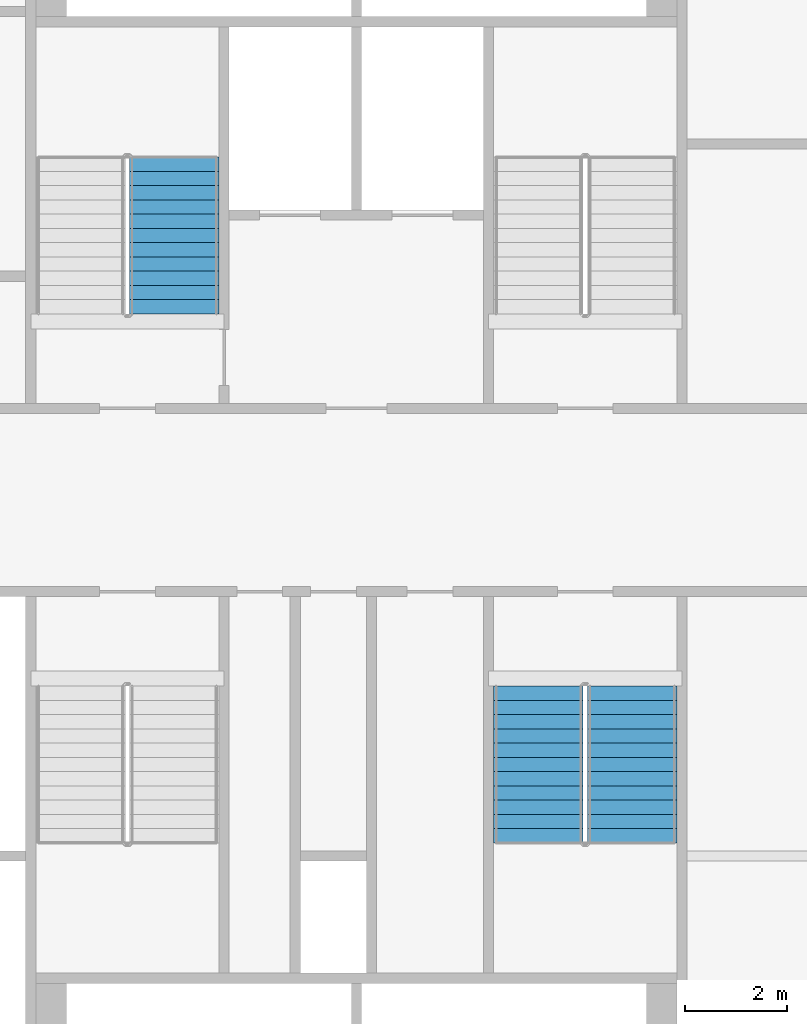
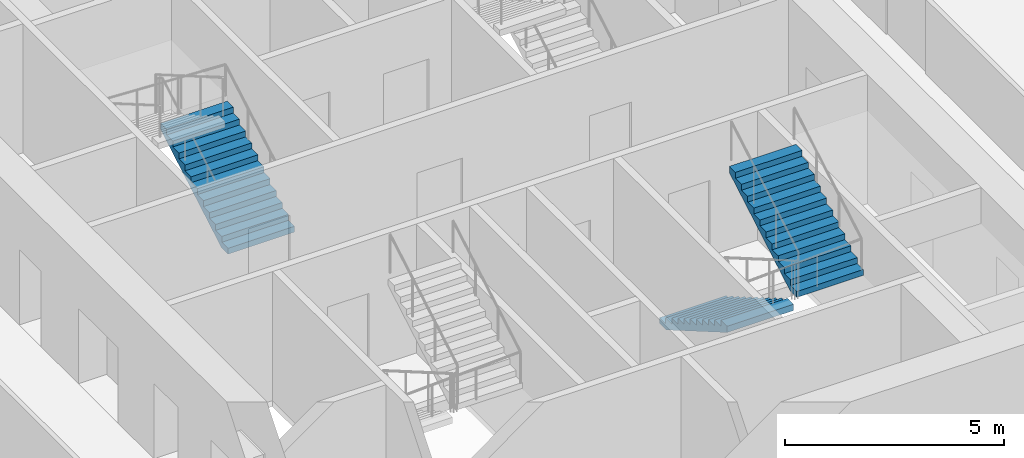
# One storey, part 9 of 13: 3 stair flights, 2 elements without a shape of their own.
"""IFC4 building model written with IfcOpenShell, lengths in metres."""

from ifc_helpers import new_model, si_unit, direction, frame, origin, place, context, subcontext, project, spatial, faceted_brep, material, type_object, element, aggregate, save


model = new_model("IFC4")

# Units and contexts
model_context = context("Model", 3, precision=1e-05, world=origin(), true_north=direction((0.0, 1.0)))
body_context = subcontext(model_context, "Body", "Model", "MODEL_VIEW")
ifc_project = project(units=[si_unit("LENGTHUNIT", "METRE"), si_unit("AREAUNIT", "SQUARE_METRE"), si_unit("VOLUMEUNIT", "CUBIC_METRE"), si_unit("PLANEANGLEUNIT", "RADIAN"), si_unit("MASSUNIT", "GRAM", prefix="KILO")], contexts=[model_context])

# Site, building, storey
site_placement = place(None, origin())
site = spatial("IfcSite", under=ifc_project, at=site_placement, CompositionType="ELEMENT")
building_placement = place(site_placement, origin())
building = spatial("IfcBuilding", under=site, at=building_placement, Name="Tarsis Ring Headquarters", CompositionType="ELEMENT")
storey_placement = place(building_placement, frame((0.0, 0.0, 135.699951171875)))
storey = spatial("IfcBuildingStorey", under=building, at=storey_placement, Name="L31", CompositionType="ELEMENT", Elevation=135.699951171875)

# Stair, stair flight
ifc_material_1 = material(Name="Core stair 1760")
stair_type = type_object("IfcStairType", Name="Core stair 1760", PredefinedType="HALF_TURN_STAIR", material=ifc_material_1)
stair_1_placement = place(storey_placement, origin())
stair_1 = element("IfcStair", 1, at=stair_1_placement, inside=storey, type_object=stair_type, Name="L31 Firefighting stair", PredefinedType="HALF_TURN_STAIR")
ifc_material_2 = material(Name="Concrete C40/50", Category="concrete")
stair_flight_type = type_object("IfcStairFlightType", Name="Core stair flight 1760", PredefinedType="STRAIGHT", material=ifc_material_2)
stair_flight_1_placement = place(storey_placement, frame((-3.580078125, 3.659912109375, 0.0), z_axis=(0.0, 0.0, 1.0), x_axis=(0.0, 1.0, 0.0)))
stair_flight_1 = element("IfcStairFlight", 2, at=stair_flight_1_placement, type_object=stair_flight_type, Name="Stair ST1 flight 1", NumberOfRisers=12, NumberOfTreads=11, PredefinedType="STRAIGHT", RiserHeight=0.1625, TreadLength=0.28, context=body_context, shape_type="Brep", body=[
    faceted_brep([(0.0, 0.8798828125, 0.0), (0.0, 0.8798828125, 0.16259765625), (0.280029296875, 0.8798828125, 0.16259765625), (0.280029296875, 0.8798828125, 0.324951171875), (0.56005859375, 0.8798828125, 0.324951171875), (0.56005859375, 0.8798828125, 0.487548828125), (0.840087890625, 0.8798828125, 0.487548828125), (0.840087890625, 0.8798828125, 0.64990234375), (1.1201171875, 0.8798828125, 0.64990234375), (1.1201171875, 0.8798828125, 0.8125), (1.39990234375, 0.8798828125, 0.8125), (1.39990234375, 0.8798828125, 0.97509765625), (1.679931640625, 0.8798828125, 0.97509765625), (1.679931640625, 0.8798828125, 1.137451171875), (1.9599609375, 0.8798828125, 1.137451171875), (1.9599609375, 0.8798828125, 1.300048828125), (2.239990234375, 0.8798828125, 1.300048828125), (2.239990234375, 0.8798828125, 1.46240234375), (2.52001953125, 0.8798828125, 1.46240234375), (2.52001953125, 0.8798828125, 1.625), (2.800048828125, 0.8798828125, 1.625), (2.800048828125, 0.8798828125, 1.78759765625), (3.080078125, 0.8798828125, 1.78759765625), (3.080078125, 0.8798828125, 1.6142578125), (0.298583984375, 0.8798828125, 0.0), (0.298583984375, -0.8798828125, 0.0), (3.080078125, -0.8798828125, 1.6142578125), (3.080078125, -0.8798828125, 1.78759765625), (2.800048828125, -0.8798828125, 1.78759765625), (2.800048828125, -0.8798828125, 1.625), (2.52001953125, -0.8798828125, 1.625), (2.52001953125, -0.8798828125, 1.46240234375), (2.239990234375, -0.8798828125, 1.46240234375), (2.239990234375, -0.8798828125, 1.300048828125), (1.9599609375, -0.8798828125, 1.300048828125), (1.9599609375, -0.8798828125, 1.137451171875), (1.679931640625, -0.8798828125, 1.137451171875), (1.679931640625, -0.8798828125, 0.97509765625), (1.39990234375, -0.8798828125, 0.97509765625), (1.39990234375, -0.8798828125, 0.8125), (1.1201171875, -0.8798828125, 0.8125), (1.1201171875, -0.8798828125, 0.64990234375), (0.840087890625, -0.8798828125, 0.64990234375), (0.840087890625, -0.8798828125, 0.487548828125), (0.56005859375, -0.8798828125, 0.487548828125), (0.56005859375, -0.8798828125, 0.324951171875), (0.280029296875, -0.8798828125, 0.324951171875), (0.280029296875, -0.8798828125, 0.16259765625), (0.0, -0.8798828125, 0.16259765625), (0.0, -0.8798828125, 0.0), (0.0, -0.43994140625, 0.16259765625), (0.0, -0.43994140625, 0.0), (0.0, 0.0, 0.16259765625), (0.0, 0.0, 0.0), (0.0, 0.43994140625, 0.16259765625), (0.0, 0.43994140625, 0.0), (0.280029296875, -0.43994140625, 0.16259765625), (0.280029296875, 0.0, 0.16259765625), (0.280029296875, 0.43994140625, 0.16259765625), (0.280029296875, -0.43994140625, 0.324951171875), (0.280029296875, 0.0, 0.324951171875), (0.280029296875, 0.43994140625, 0.324951171875), (0.56005859375, -0.43994140625, 0.324951171875), (0.56005859375, 0.0, 0.324951171875), (0.56005859375, 0.43994140625, 0.324951171875), (0.56005859375, -0.43994140625, 0.487548828125), (0.56005859375, 0.0, 0.487548828125), (0.56005859375, 0.43994140625, 0.487548828125), (0.840087890625, -0.43994140625, 0.487548828125), (0.840087890625, 0.0, 0.487548828125), (0.840087890625, 0.43994140625, 0.487548828125), (0.840087890625, -0.43994140625, 0.64990234375), (0.840087890625, 0.0, 0.64990234375), (0.840087890625, 0.43994140625, 0.64990234375), (1.1201171875, -0.43994140625, 0.64990234375), (1.1201171875, 0.0, 0.64990234375), (1.1201171875, 0.43994140625, 0.64990234375), (1.1201171875, -0.43994140625, 0.8125), (1.1201171875, 0.0, 0.8125), (1.1201171875, 0.43994140625, 0.8125), (1.39990234375, -0.43994140625, 0.8125), (1.39990234375, 0.0, 0.8125), (1.39990234375, 0.43994140625, 0.8125), (1.39990234375, -0.43994140625, 0.97509765625), (1.39990234375, 0.0, 0.97509765625), (1.39990234375, 0.43994140625, 0.97509765625), (1.679931640625, -0.43994140625, 0.97509765625), (1.679931640625, 0.0, 0.97509765625), (1.679931640625, 0.43994140625, 0.97509765625), (1.679931640625, -0.43994140625, 1.137451171875), (1.679931640625, 0.0, 1.137451171875), (1.679931640625, 0.43994140625, 1.137451171875), (1.9599609375, -0.43994140625, 1.137451171875), (1.9599609375, 0.0, 1.137451171875), (1.9599609375, 0.43994140625, 1.137451171875), (1.9599609375, -0.43994140625, 1.300048828125), (1.9599609375, 0.0, 1.300048828125), (1.9599609375, 0.43994140625, 1.300048828125), (2.239990234375, -0.43994140625, 1.300048828125), (2.239990234375, 0.0, 1.300048828125), (2.239990234375, 0.43994140625, 1.300048828125), (2.239990234375, -0.43994140625, 1.46240234375), (2.239990234375, 0.0, 1.46240234375), (2.239990234375, 0.43994140625, 1.46240234375), (2.52001953125, -0.43994140625, 1.46240234375), (2.52001953125, 0.0, 1.46240234375), (2.52001953125, 0.43994140625, 1.46240234375), (2.52001953125, -0.43994140625, 1.625), (2.52001953125, 0.0, 1.625), (2.52001953125, 0.43994140625, 1.625), (2.800048828125, -0.43994140625, 1.625), (2.800048828125, 0.0, 1.625), (2.800048828125, 0.43994140625, 1.625), (2.800048828125, -0.43994140625, 1.78759765625), (2.800048828125, 0.0, 1.78759765625), (2.800048828125, 0.43994140625, 1.78759765625), (3.080078125, -0.43994140625, 1.78759765625), (3.080078125, 0.0, 1.78759765625), (3.080078125, 0.43994140625, 1.78759765625), (3.080078125, -0.43994140625, 1.6142578125), (3.080078125, 0.0, 1.6142578125), (3.080078125, 0.43994140625, 1.6142578125), (0.298583984375, -0.43994140625, 0.0), (0.298583984375, 0.0, 0.0), (0.298583984375, 0.43994140625, 0.0)], [[[0, 1, 2, 3, 4, 5, 6, 7, 8, 9, 10, 11, 12, 13, 14, 15, 16, 17, 18, 19, 20, 21, 22, 23, 24]], [[25, 26, 27, 28, 29, 30, 31, 32, 33, 34, 35, 36, 37, 38, 39, 40, 41, 42, 43, 44, 45, 46, 47, 48, 49]], [[49, 48, 50, 51]], [[51, 50, 52, 53]], [[53, 52, 54, 55]], [[55, 54, 1, 0]], [[48, 47, 56, 50]], [[50, 56, 57, 52]], [[52, 57, 58, 54]], [[54, 58, 2, 1]], [[47, 46, 59, 56]], [[56, 59, 60, 57]], [[57, 60, 61, 58]], [[58, 61, 3, 2]], [[46, 45, 62, 59]], [[59, 62, 63, 60]], [[60, 63, 64, 61]], [[61, 64, 4, 3]], [[45, 44, 65, 62]], [[62, 65, 66, 63]], [[63, 66, 67, 64]], [[64, 67, 5, 4]], [[44, 43, 68, 65]], [[65, 68, 69, 66]], [[66, 69, 70, 67]], [[67, 70, 6, 5]], [[43, 42, 71, 68]], [[68, 71, 72, 69]], [[69, 72, 73, 70]], [[70, 73, 7, 6]], [[42, 41, 74, 71]], [[71, 74, 75, 72]], [[72, 75, 76, 73]], [[73, 76, 8, 7]], [[41, 40, 77, 74]], [[74, 77, 78, 75]], [[75, 78, 79, 76]], [[76, 79, 9, 8]], [[40, 39, 80, 77]], [[77, 80, 81, 78]], [[78, 81, 82, 79]], [[79, 82, 10, 9]], [[39, 38, 83, 80]], [[80, 83, 84, 81]], [[81, 84, 85, 82]], [[82, 85, 11, 10]], [[38, 37, 86, 83]], [[83, 86, 87, 84]], [[84, 87, 88, 85]], [[85, 88, 12, 11]], [[37, 36, 89, 86]], [[86, 89, 90, 87]], [[87, 90, 91, 88]], [[88, 91, 13, 12]], [[36, 35, 92, 89]], [[89, 92, 93, 90]], [[90, 93, 94, 91]], [[91, 94, 14, 13]], [[35, 34, 95, 92]], [[92, 95, 96, 93]], [[93, 96, 97, 94]], [[94, 97, 15, 14]], [[34, 33, 98, 95]], [[95, 98, 99, 96]], [[96, 99, 100, 97]], [[97, 100, 16, 15]], [[33, 32, 101, 98]], [[98, 101, 102, 99]], [[99, 102, 103, 100]], [[100, 103, 17, 16]], [[32, 31, 104, 101]], [[101, 104, 105, 102]], [[102, 105, 106, 103]], [[103, 106, 18, 17]], [[31, 30, 107, 104]], [[104, 107, 108, 105]], [[105, 108, 109, 106]], [[106, 109, 19, 18]], [[30, 29, 110, 107]], [[107, 110, 111, 108]], [[108, 111, 112, 109]], [[109, 112, 20, 19]], [[29, 28, 113, 110]], [[110, 113, 114, 111]], [[111, 114, 115, 112]], [[112, 115, 21, 20]], [[28, 27, 116, 113]], [[113, 116, 117, 114]], [[114, 117, 118, 115]], [[115, 118, 22, 21]], [[27, 26, 119, 116]], [[116, 119, 120, 117]], [[117, 120, 121, 118]], [[118, 121, 23, 22]], [[26, 25, 122, 119]], [[119, 122, 123, 120]], [[120, 123, 124, 121]], [[121, 124, 24, 23]], [[25, 49, 51, 122]], [[122, 51, 53, 123]], [[123, 53, 55, 124]], [[124, 55, 0, 24]]]),
])
aggregate(stair_1, [stair_flight_1])

# Stair, stair flights
stair_2_placement = place(storey_placement, origin())
stair_2 = element("IfcStair", 3, at=stair_2_placement, inside=storey, type_object=stair_type, Name="L31 Exit stair D", PredefinedType="HALF_TURN_STAIR")
stair_flight_2_placement = place(storey_placement, frame((3.580078125, -3.659912109375, 0.0), z_axis=(0.0, 0.0, 1.0), x_axis=(0.0, -1.0, 0.0)))
stair_flight_2 = element("IfcStairFlight", 4, at=stair_flight_2_placement, type_object=stair_flight_type, Name="Stair ST4 flight 1", NumberOfRisers=12, NumberOfTreads=11, PredefinedType="STRAIGHT", RiserHeight=0.1625, TreadLength=0.28, context=body_context, shape_type="Brep", body=[
    faceted_brep([(0.0, 0.8798828125, 0.0), (0.0, 0.8798828125, 0.16259765625), (0.280029296875, 0.8798828125, 0.16259765625), (0.280029296875, 0.8798828125, 0.324951171875), (0.56005859375, 0.8798828125, 0.324951171875), (0.56005859375, 0.8798828125, 0.487548828125), (0.840087890625, 0.8798828125, 0.487548828125), (0.840087890625, 0.8798828125, 0.64990234375), (1.1201171875, 0.8798828125, 0.64990234375), (1.1201171875, 0.8798828125, 0.8125), (1.39990234375, 0.8798828125, 0.8125), (1.39990234375, 0.8798828125, 0.97509765625), (1.679931640625, 0.8798828125, 0.97509765625), (1.679931640625, 0.8798828125, 1.137451171875), (1.9599609375, 0.8798828125, 1.137451171875), (1.9599609375, 0.8798828125, 1.300048828125), (2.239990234375, 0.8798828125, 1.300048828125), (2.239990234375, 0.8798828125, 1.46240234375), (2.52001953125, 0.8798828125, 1.46240234375), (2.52001953125, 0.8798828125, 1.625), (2.800048828125, 0.8798828125, 1.625), (2.800048828125, 0.8798828125, 1.78759765625), (3.080078125, 0.8798828125, 1.78759765625), (3.080078125, 0.8798828125, 1.6142578125), (0.298583984375, 0.8798828125, 0.0), (0.298583984375, -0.8798828125, 0.0), (3.080078125, -0.8798828125, 1.6142578125), (3.080078125, -0.8798828125, 1.78759765625), (2.800048828125, -0.8798828125, 1.78759765625), (2.800048828125, -0.8798828125, 1.625), (2.52001953125, -0.8798828125, 1.625), (2.52001953125, -0.8798828125, 1.46240234375), (2.239990234375, -0.8798828125, 1.46240234375), (2.239990234375, -0.8798828125, 1.300048828125), (1.9599609375, -0.8798828125, 1.300048828125), (1.9599609375, -0.8798828125, 1.137451171875), (1.679931640625, -0.8798828125, 1.137451171875), (1.679931640625, -0.8798828125, 0.97509765625), (1.39990234375, -0.8798828125, 0.97509765625), (1.39990234375, -0.8798828125, 0.8125), (1.1201171875, -0.8798828125, 0.8125), (1.1201171875, -0.8798828125, 0.64990234375), (0.840087890625, -0.8798828125, 0.64990234375), (0.840087890625, -0.8798828125, 0.487548828125), (0.56005859375, -0.8798828125, 0.487548828125), (0.56005859375, -0.8798828125, 0.324951171875), (0.280029296875, -0.8798828125, 0.324951171875), (0.280029296875, -0.8798828125, 0.16259765625), (0.0, -0.8798828125, 0.16259765625), (0.0, -0.8798828125, 0.0), (0.0, -0.43994140625, 0.16259765625), (0.0, -0.43994140625, 0.0), (0.0, 0.0, 0.16259765625), (0.0, 0.0, 0.0), (0.0, 0.43994140625, 0.16259765625), (0.0, 0.43994140625, 0.0), (0.280029296875, -0.43994140625, 0.16259765625), (0.280029296875, 0.0, 0.16259765625), (0.280029296875, 0.43994140625, 0.16259765625), (0.280029296875, -0.43994140625, 0.324951171875), (0.280029296875, 0.0, 0.324951171875), (0.280029296875, 0.43994140625, 0.324951171875), (0.56005859375, -0.43994140625, 0.324951171875), (0.56005859375, 0.0, 0.324951171875), (0.56005859375, 0.43994140625, 0.324951171875), (0.56005859375, -0.43994140625, 0.487548828125), (0.56005859375, 0.0, 0.487548828125), (0.56005859375, 0.43994140625, 0.487548828125), (0.840087890625, -0.43994140625, 0.487548828125), (0.840087890625, 0.0, 0.487548828125), (0.840087890625, 0.43994140625, 0.487548828125), (0.840087890625, -0.43994140625, 0.64990234375), (0.840087890625, 0.0, 0.64990234375), (0.840087890625, 0.43994140625, 0.64990234375), (1.1201171875, -0.43994140625, 0.64990234375), (1.1201171875, 0.0, 0.64990234375), (1.1201171875, 0.43994140625, 0.64990234375), (1.1201171875, -0.43994140625, 0.8125), (1.1201171875, 0.0, 0.8125), (1.1201171875, 0.43994140625, 0.8125), (1.39990234375, -0.43994140625, 0.8125), (1.39990234375, 0.0, 0.8125), (1.39990234375, 0.43994140625, 0.8125), (1.39990234375, -0.43994140625, 0.97509765625), (1.39990234375, 0.0, 0.97509765625), (1.39990234375, 0.43994140625, 0.97509765625), (1.679931640625, -0.43994140625, 0.97509765625), (1.679931640625, 0.0, 0.97509765625), (1.679931640625, 0.43994140625, 0.97509765625), (1.679931640625, -0.43994140625, 1.137451171875), (1.679931640625, 0.0, 1.137451171875), (1.679931640625, 0.43994140625, 1.137451171875), (1.9599609375, -0.43994140625, 1.137451171875), (1.9599609375, 0.0, 1.137451171875), (1.9599609375, 0.43994140625, 1.137451171875), (1.9599609375, -0.43994140625, 1.300048828125), (1.9599609375, 0.0, 1.300048828125), (1.9599609375, 0.43994140625, 1.300048828125), (2.239990234375, -0.43994140625, 1.300048828125), (2.239990234375, 0.0, 1.300048828125), (2.239990234375, 0.43994140625, 1.300048828125), (2.239990234375, -0.43994140625, 1.46240234375), (2.239990234375, 0.0, 1.46240234375), (2.239990234375, 0.43994140625, 1.46240234375), (2.52001953125, -0.43994140625, 1.46240234375), (2.52001953125, 0.0, 1.46240234375), (2.52001953125, 0.43994140625, 1.46240234375), (2.52001953125, -0.43994140625, 1.625), (2.52001953125, 0.0, 1.625), (2.52001953125, 0.43994140625, 1.625), (2.800048828125, -0.43994140625, 1.625), (2.800048828125, 0.0, 1.625), (2.800048828125, 0.43994140625, 1.625), (2.800048828125, -0.43994140625, 1.78759765625), (2.800048828125, 0.0, 1.78759765625), (2.800048828125, 0.43994140625, 1.78759765625), (3.080078125, -0.43994140625, 1.78759765625), (3.080078125, 0.0, 1.78759765625), (3.080078125, 0.43994140625, 1.78759765625), (3.080078125, -0.43994140625, 1.6142578125), (3.080078125, 0.0, 1.6142578125), (3.080078125, 0.43994140625, 1.6142578125), (0.298583984375, -0.43994140625, 0.0), (0.298583984375, 0.0, 0.0), (0.298583984375, 0.43994140625, 0.0)], [[[0, 1, 2, 3, 4, 5, 6, 7, 8, 9, 10, 11, 12, 13, 14, 15, 16, 17, 18, 19, 20, 21, 22, 23, 24]], [[25, 26, 27, 28, 29, 30, 31, 32, 33, 34, 35, 36, 37, 38, 39, 40, 41, 42, 43, 44, 45, 46, 47, 48, 49]], [[49, 48, 50, 51]], [[51, 50, 52, 53]], [[53, 52, 54, 55]], [[55, 54, 1, 0]], [[48, 47, 56, 50]], [[50, 56, 57, 52]], [[52, 57, 58, 54]], [[54, 58, 2, 1]], [[47, 46, 59, 56]], [[56, 59, 60, 57]], [[57, 60, 61, 58]], [[58, 61, 3, 2]], [[46, 45, 62, 59]], [[59, 62, 63, 60]], [[60, 63, 64, 61]], [[61, 64, 4, 3]], [[45, 44, 65, 62]], [[62, 65, 66, 63]], [[63, 66, 67, 64]], [[64, 67, 5, 4]], [[44, 43, 68, 65]], [[65, 68, 69, 66]], [[66, 69, 70, 67]], [[67, 70, 6, 5]], [[43, 42, 71, 68]], [[68, 71, 72, 69]], [[69, 72, 73, 70]], [[70, 73, 7, 6]], [[42, 41, 74, 71]], [[71, 74, 75, 72]], [[72, 75, 76, 73]], [[73, 76, 8, 7]], [[41, 40, 77, 74]], [[74, 77, 78, 75]], [[75, 78, 79, 76]], [[76, 79, 9, 8]], [[40, 39, 80, 77]], [[77, 80, 81, 78]], [[78, 81, 82, 79]], [[79, 82, 10, 9]], [[39, 38, 83, 80]], [[80, 83, 84, 81]], [[81, 84, 85, 82]], [[82, 85, 11, 10]], [[38, 37, 86, 83]], [[83, 86, 87, 84]], [[84, 87, 88, 85]], [[85, 88, 12, 11]], [[37, 36, 89, 86]], [[86, 89, 90, 87]], [[87, 90, 91, 88]], [[88, 91, 13, 12]], [[36, 35, 92, 89]], [[89, 92, 93, 90]], [[90, 93, 94, 91]], [[91, 94, 14, 13]], [[35, 34, 95, 92]], [[92, 95, 96, 93]], [[93, 96, 97, 94]], [[94, 97, 15, 14]], [[34, 33, 98, 95]], [[95, 98, 99, 96]], [[96, 99, 100, 97]], [[97, 100, 16, 15]], [[33, 32, 101, 98]], [[98, 101, 102, 99]], [[99, 102, 103, 100]], [[100, 103, 17, 16]], [[32, 31, 104, 101]], [[101, 104, 105, 102]], [[102, 105, 106, 103]], [[103, 106, 18, 17]], [[31, 30, 107, 104]], [[104, 107, 108, 105]], [[105, 108, 109, 106]], [[106, 109, 19, 18]], [[30, 29, 110, 107]], [[107, 110, 111, 108]], [[108, 111, 112, 109]], [[109, 112, 20, 19]], [[29, 28, 113, 110]], [[110, 113, 114, 111]], [[111, 114, 115, 112]], [[112, 115, 21, 20]], [[28, 27, 116, 113]], [[113, 116, 117, 114]], [[114, 117, 118, 115]], [[115, 118, 22, 21]], [[27, 26, 119, 116]], [[116, 119, 120, 117]], [[117, 120, 121, 118]], [[118, 121, 23, 22]], [[26, 25, 122, 119]], [[119, 122, 123, 120]], [[120, 123, 124, 121]], [[121, 124, 24, 23]], [[25, 49, 51, 122]], [[122, 51, 53, 123]], [[123, 53, 55, 124]], [[124, 55, 0, 24]]]),
])
stair_flight_3_placement = place(storey_placement, frame((5.419921875, -6.739990234375, 1.949951171875), z_axis=(0.0, 0.0, 1.0), x_axis=(0.0, 1.0, 0.0)))
stair_flight_3 = element("IfcStairFlight", 5, at=stair_flight_3_placement, type_object=stair_flight_type, Name="Stair ST4 flight 2", NumberOfRisers=12, NumberOfTreads=11, PredefinedType="STRAIGHT", RiserHeight=0.1625, TreadLength=0.28, context=body_context, shape_type="Brep", body=[
    faceted_brep([(0.0, 0.8798828125, 0.0), (0.0, 0.8798828125, 0.16259765625), (0.280029296875, 0.8798828125, 0.16259765625), (0.280029296875, 0.8798828125, 0.324951171875), (0.56005859375, 0.8798828125, 0.324951171875), (0.56005859375, 0.8798828125, 0.487548828125), (0.840087890625, 0.8798828125, 0.487548828125), (0.840087890625, 0.8798828125, 0.64990234375), (1.1201171875, 0.8798828125, 0.64990234375), (1.1201171875, 0.8798828125, 0.8125), (1.39990234375, 0.8798828125, 0.8125), (1.39990234375, 0.8798828125, 0.97509765625), (1.679931640625, 0.8798828125, 0.97509765625), (1.679931640625, 0.8798828125, 1.137451171875), (1.9599609375, 0.8798828125, 1.137451171875), (1.9599609375, 0.8798828125, 1.300048828125), (2.239990234375, 0.8798828125, 1.300048828125), (2.239990234375, 0.8798828125, 1.46240234375), (2.52001953125, 0.8798828125, 1.46240234375), (2.52001953125, 0.8798828125, 1.625), (2.800048828125, 0.8798828125, 1.625), (2.800048828125, 0.8798828125, 1.78759765625), (3.080078125, 0.8798828125, 1.78759765625), (3.080078125, 0.8798828125, 1.6142578125), (0.298583984375, 0.8798828125, 0.0), (0.298583984375, -0.8798828125, 0.0), (3.080078125, -0.8798828125, 1.6142578125), (3.080078125, -0.8798828125, 1.78759765625), (2.800048828125, -0.8798828125, 1.78759765625), (2.800048828125, -0.8798828125, 1.625), (2.52001953125, -0.8798828125, 1.625), (2.52001953125, -0.8798828125, 1.46240234375), (2.239990234375, -0.8798828125, 1.46240234375), (2.239990234375, -0.8798828125, 1.300048828125), (1.9599609375, -0.8798828125, 1.300048828125), (1.9599609375, -0.8798828125, 1.137451171875), (1.679931640625, -0.8798828125, 1.137451171875), (1.679931640625, -0.8798828125, 0.97509765625), (1.39990234375, -0.8798828125, 0.97509765625), (1.39990234375, -0.8798828125, 0.8125), (1.1201171875, -0.8798828125, 0.8125), (1.1201171875, -0.8798828125, 0.64990234375), (0.840087890625, -0.8798828125, 0.64990234375), (0.840087890625, -0.8798828125, 0.487548828125), (0.56005859375, -0.8798828125, 0.487548828125), (0.56005859375, -0.8798828125, 0.324951171875), (0.280029296875, -0.8798828125, 0.324951171875), (0.280029296875, -0.8798828125, 0.16259765625), (0.0, -0.8798828125, 0.16259765625), (0.0, -0.8798828125, 0.0), (0.0, -0.43994140625, 0.16259765625), (0.0, -0.43994140625, 0.0), (0.0, 0.0, 0.16259765625), (0.0, 0.0, 0.0), (0.0, 0.43994140625, 0.16259765625), (0.0, 0.43994140625, 0.0), (0.280029296875, -0.43994140625, 0.16259765625), (0.280029296875, 0.0, 0.16259765625), (0.280029296875, 0.43994140625, 0.16259765625), (0.280029296875, -0.43994140625, 0.324951171875), (0.280029296875, 0.0, 0.324951171875), (0.280029296875, 0.43994140625, 0.324951171875), (0.56005859375, -0.43994140625, 0.324951171875), (0.56005859375, 0.0, 0.324951171875), (0.56005859375, 0.43994140625, 0.324951171875), (0.56005859375, -0.43994140625, 0.487548828125), (0.56005859375, 0.0, 0.487548828125), (0.56005859375, 0.43994140625, 0.487548828125), (0.840087890625, -0.43994140625, 0.487548828125), (0.840087890625, 0.0, 0.487548828125), (0.840087890625, 0.43994140625, 0.487548828125), (0.840087890625, -0.43994140625, 0.64990234375), (0.840087890625, 0.0, 0.64990234375), (0.840087890625, 0.43994140625, 0.64990234375), (1.1201171875, -0.43994140625, 0.64990234375), (1.1201171875, 0.0, 0.64990234375), (1.1201171875, 0.43994140625, 0.64990234375), (1.1201171875, -0.43994140625, 0.8125), (1.1201171875, 0.0, 0.8125), (1.1201171875, 0.43994140625, 0.8125), (1.39990234375, -0.43994140625, 0.8125), (1.39990234375, 0.0, 0.8125), (1.39990234375, 0.43994140625, 0.8125), (1.39990234375, -0.43994140625, 0.97509765625), (1.39990234375, 0.0, 0.97509765625), (1.39990234375, 0.43994140625, 0.97509765625), (1.679931640625, -0.43994140625, 0.97509765625), (1.679931640625, 0.0, 0.97509765625), (1.679931640625, 0.43994140625, 0.97509765625), (1.679931640625, -0.43994140625, 1.137451171875), (1.679931640625, 0.0, 1.137451171875), (1.679931640625, 0.43994140625, 1.137451171875), (1.9599609375, -0.43994140625, 1.137451171875), (1.9599609375, 0.0, 1.137451171875), (1.9599609375, 0.43994140625, 1.137451171875), (1.9599609375, -0.43994140625, 1.300048828125), (1.9599609375, 0.0, 1.300048828125), (1.9599609375, 0.43994140625, 1.300048828125), (2.239990234375, -0.43994140625, 1.300048828125), (2.239990234375, 0.0, 1.300048828125), (2.239990234375, 0.43994140625, 1.300048828125), (2.239990234375, -0.43994140625, 1.46240234375), (2.239990234375, 0.0, 1.46240234375), (2.239990234375, 0.43994140625, 1.46240234375), (2.52001953125, -0.43994140625, 1.46240234375), (2.52001953125, 0.0, 1.46240234375), (2.52001953125, 0.43994140625, 1.46240234375), (2.52001953125, -0.43994140625, 1.625), (2.52001953125, 0.0, 1.625), (2.52001953125, 0.43994140625, 1.625), (2.800048828125, -0.43994140625, 1.625), (2.800048828125, 0.0, 1.625), (2.800048828125, 0.43994140625, 1.625), (2.800048828125, -0.43994140625, 1.78759765625), (2.800048828125, 0.0, 1.78759765625), (2.800048828125, 0.43994140625, 1.78759765625), (3.080078125, -0.43994140625, 1.78759765625), (3.080078125, 0.0, 1.78759765625), (3.080078125, 0.43994140625, 1.78759765625), (3.080078125, -0.43994140625, 1.6142578125), (3.080078125, 0.0, 1.6142578125), (3.080078125, 0.43994140625, 1.6142578125), (0.298583984375, -0.43994140625, 0.0), (0.298583984375, 0.0, 0.0), (0.298583984375, 0.43994140625, 0.0)], [[[0, 1, 2, 3, 4, 5, 6, 7, 8, 9, 10, 11, 12, 13, 14, 15, 16, 17, 18, 19, 20, 21, 22, 23, 24]], [[25, 26, 27, 28, 29, 30, 31, 32, 33, 34, 35, 36, 37, 38, 39, 40, 41, 42, 43, 44, 45, 46, 47, 48, 49]], [[49, 48, 50, 51]], [[51, 50, 52, 53]], [[53, 52, 54, 55]], [[55, 54, 1, 0]], [[48, 47, 56, 50]], [[50, 56, 57, 52]], [[52, 57, 58, 54]], [[54, 58, 2, 1]], [[47, 46, 59, 56]], [[56, 59, 60, 57]], [[57, 60, 61, 58]], [[58, 61, 3, 2]], [[46, 45, 62, 59]], [[59, 62, 63, 60]], [[60, 63, 64, 61]], [[61, 64, 4, 3]], [[45, 44, 65, 62]], [[62, 65, 66, 63]], [[63, 66, 67, 64]], [[64, 67, 5, 4]], [[44, 43, 68, 65]], [[65, 68, 69, 66]], [[66, 69, 70, 67]], [[67, 70, 6, 5]], [[43, 42, 71, 68]], [[68, 71, 72, 69]], [[69, 72, 73, 70]], [[70, 73, 7, 6]], [[42, 41, 74, 71]], [[71, 74, 75, 72]], [[72, 75, 76, 73]], [[73, 76, 8, 7]], [[41, 40, 77, 74]], [[74, 77, 78, 75]], [[75, 78, 79, 76]], [[76, 79, 9, 8]], [[40, 39, 80, 77]], [[77, 80, 81, 78]], [[78, 81, 82, 79]], [[79, 82, 10, 9]], [[39, 38, 83, 80]], [[80, 83, 84, 81]], [[81, 84, 85, 82]], [[82, 85, 11, 10]], [[38, 37, 86, 83]], [[83, 86, 87, 84]], [[84, 87, 88, 85]], [[85, 88, 12, 11]], [[37, 36, 89, 86]], [[86, 89, 90, 87]], [[87, 90, 91, 88]], [[88, 91, 13, 12]], [[36, 35, 92, 89]], [[89, 92, 93, 90]], [[90, 93, 94, 91]], [[91, 94, 14, 13]], [[35, 34, 95, 92]], [[92, 95, 96, 93]], [[93, 96, 97, 94]], [[94, 97, 15, 14]], [[34, 33, 98, 95]], [[95, 98, 99, 96]], [[96, 99, 100, 97]], [[97, 100, 16, 15]], [[33, 32, 101, 98]], [[98, 101, 102, 99]], [[99, 102, 103, 100]], [[100, 103, 17, 16]], [[32, 31, 104, 101]], [[101, 104, 105, 102]], [[102, 105, 106, 103]], [[103, 106, 18, 17]], [[31, 30, 107, 104]], [[104, 107, 108, 105]], [[105, 108, 109, 106]], [[106, 109, 19, 18]], [[30, 29, 110, 107]], [[107, 110, 111, 108]], [[108, 111, 112, 109]], [[109, 112, 20, 19]], [[29, 28, 113, 110]], [[110, 113, 114, 111]], [[111, 114, 115, 112]], [[112, 115, 21, 20]], [[28, 27, 116, 113]], [[113, 116, 117, 114]], [[114, 117, 118, 115]], [[115, 118, 22, 21]], [[27, 26, 119, 116]], [[116, 119, 120, 117]], [[117, 120, 121, 118]], [[118, 121, 23, 22]], [[26, 25, 122, 119]], [[119, 122, 123, 120]], [[120, 123, 124, 121]], [[121, 124, 24, 23]], [[25, 49, 51, 122]], [[122, 51, 53, 123]], [[123, 53, 55, 124]], [[124, 55, 0, 24]]]),
])
aggregate(stair_2, [stair_flight_2, stair_flight_3])

save(model, "model.ifc")
